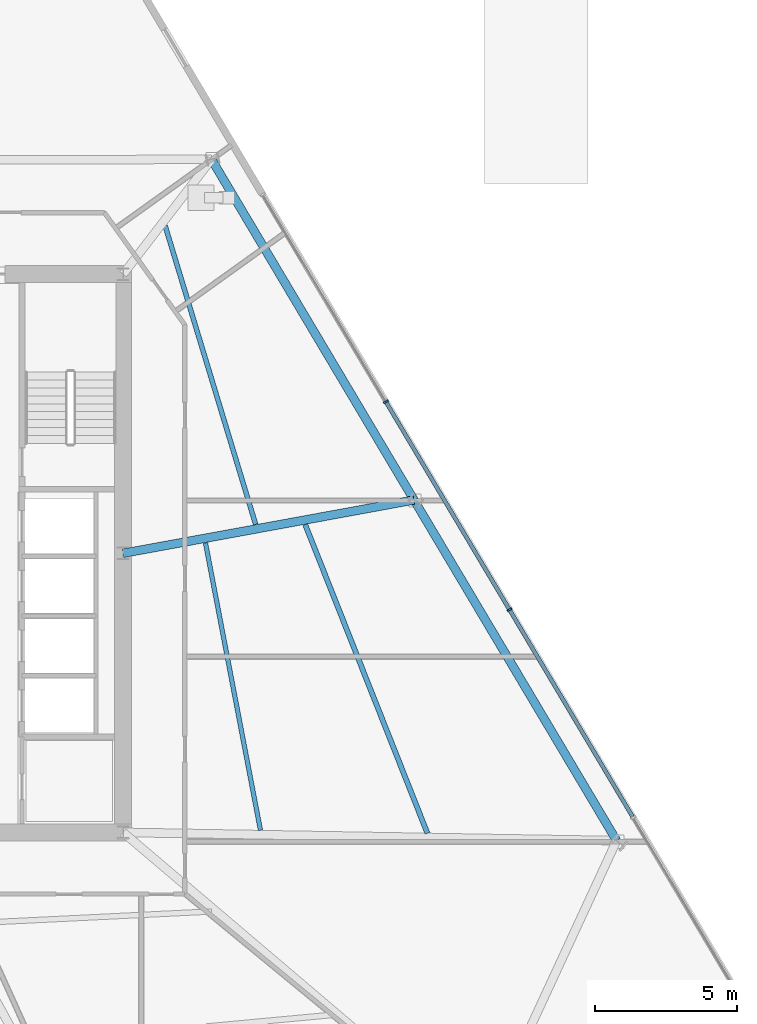
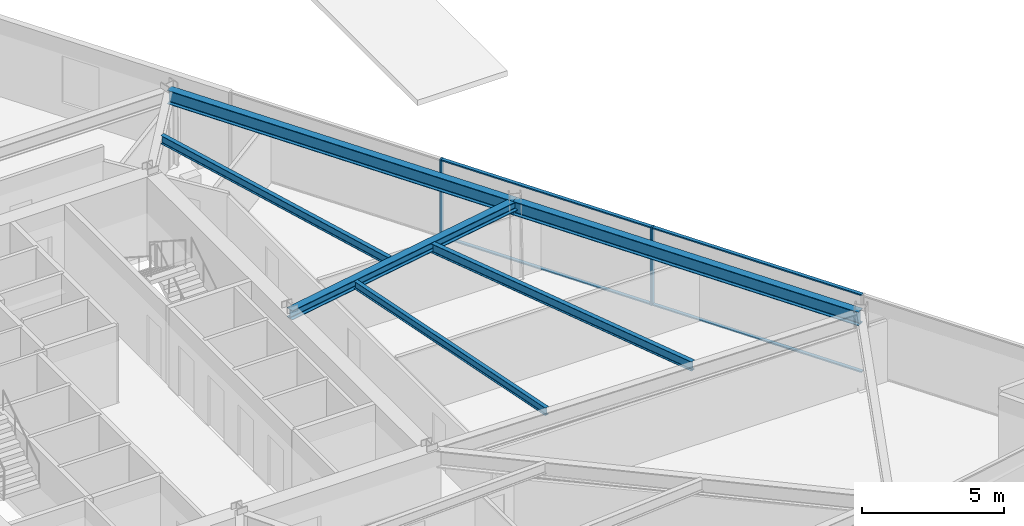
# One storey, part 6 of 16: 6 beams, 6 members, 1 element without a shape of its own.
"""IFC4 building model written with IfcOpenShell, lengths in metres."""

from ifc_helpers import new_model, si_unit, direction, frame, origin, origin_2d, place, context, subcontext, project, spatial, rectangle, i_section, extrude, material, material_profile, profile_set, type_object, element, aggregate, save


model = new_model("IFC4")

# Units and contexts
model_context = context("Model", 3, precision=1e-05, world=origin(), true_north=direction((0.0, 1.0)))
body_context = subcontext(model_context, "Body", "Model", "MODEL_VIEW")
ifc_project = project(units=[si_unit("LENGTHUNIT", "METRE"), si_unit("AREAUNIT", "SQUARE_METRE"), si_unit("VOLUMEUNIT", "CUBIC_METRE"), si_unit("PLANEANGLEUNIT", "RADIAN"), si_unit("MASSUNIT", "GRAM", prefix="KILO")], contexts=[model_context])

# Site, building, storey
site_placement = place(None, origin())
site = spatial("IfcSite", under=ifc_project, at=site_placement, CompositionType="ELEMENT")
building_placement = place(site_placement, origin())
building = spatial("IfcBuilding", under=site, at=building_placement, Name="Savorim Split Tower", CompositionType="ELEMENT")
storey_placement = place(building_placement, frame((0.0, 0.0, 30.0)))
storey = spatial("IfcBuildingStorey", under=building, at=storey_placement, Name="L07", CompositionType="ELEMENT", Elevation=30.0)

# Beams
ifc_material_1 = material(Name="Steel S355", Category="steel")
ifc_material_profile_1 = material_profile(ifc_material_1, i_section(OverallWidth=0.159912109375, OverallDepth=0.330078125, WebThickness=0.007568359375, FlangeThickness=0.011474609375, FilletRadius=0.01806640625, at=origin_2d()), Name="IPE 330")
ifc_profile_set_1 = profile_set([ifc_material_profile_1], Name="Steel S355")
beam_type_1 = type_object("IfcBeamType", Name="BM-JST-IPE330", PredefinedType="JOIST", material=ifc_profile_set_1)
beam_1_placement = place(storey_placement, frame((12.521240234375, -9.32421875, 3.18505859375), z_axis=(-0.187984483988, 0.982171998063, 0.0), x_axis=(-0.982171998063, -0.187984483988, 0.0)))
element("IfcBeam", 1, at=beam_1_placement, inside=storey, type_object=beam_type_1, Name="L07 Secondary Floor Joist JS-08", PredefinedType="JOIST", context=body_context, shape_type="SweptSolid", body=[
    extrude(i_section(OverallWidth=0.159912109375, OverallDepth=0.330078125, WebThickness=0.007568359375, FlangeThickness=0.011474609375, FilletRadius=0.01806640625, at=origin_2d()), origin(), (0.0, 0.0, 1.0), 10.274169921875),
])
ifc_material_profile_2 = material_profile(ifc_material_1, i_section(OverallWidth=0.169921875, OverallDepth=0.360107421875, WebThickness=0.008056640625, FlangeThickness=0.0126953125, FilletRadius=0.01806640625, at=origin_2d()), Name="IPE 360")
ifc_profile_set_2 = profile_set([ifc_material_profile_2], Name="Steel S355")
beam_type_2 = type_object("IfcBeamType", Name="BM-JST-IPE360", PredefinedType="JOIST", material=ifc_profile_set_2)
beam_2_placement = place(storey_placement, frame((12.351806640625, 1.413818359375, 3.169921875), z_axis=(-0.290056859464, 0.957009413892, 0.0), x_axis=(-0.957009413892, -0.290056859464, 0.0)))
element("IfcBeam", 2, at=beam_2_placement, inside=storey, type_object=beam_type_2, Name="L07 Secondary Floor Joist JS-07", PredefinedType="JOIST", context=body_context, shape_type="SweptSolid", body=[
    extrude(i_section(OverallWidth=0.169921875, OverallDepth=0.360107421875, WebThickness=0.008056640625, FlangeThickness=0.0126953125, FilletRadius=0.01806640625, at=origin_2d()), origin(), (0.0, 0.0, 1.0), 10.958984375),
])
ifc_material_profile_3 = material_profile(ifc_material_1, i_section(OverallWidth=0.179931640625, OverallDepth=0.39990234375, WebThickness=0.008544921875, FlangeThickness=0.013427734375, FilletRadius=0.02099609375, at=origin_2d()), Name="IPE 400")
ifc_profile_set_3 = profile_set([ifc_material_profile_3], Name="Steel S355")
beam_type_3 = type_object("IfcBeamType", Name="BM-JST-IPE400", PredefinedType="JOIST", material=ifc_profile_set_3)
beam_3_placement = place(storey_placement, frame((18.38330078125, -9.43115234375, 3.14990234375), z_axis=(-0.368067305752, 0.929799149514, 0.0), x_axis=(-0.929799149514, -0.368067305752, 0.0)))
element("IfcBeam", 3, at=beam_3_placement, inside=storey, type_object=beam_type_3, Name="L07 Secondary Floor Joist JS-06", PredefinedType="JOIST", context=body_context, shape_type="SweptSolid", body=[
    extrude(i_section(OverallWidth=0.179931640625, OverallDepth=0.39990234375, WebThickness=0.008544921875, FlangeThickness=0.013427734375, FilletRadius=0.02099609375, at=origin_2d()), origin(), (0.0, 0.0, 1.0), 11.660888671875),
])
ifc_material_profile_4 = material_profile(ifc_material_1, i_section(OverallWidth=0.300048828125, OverallDepth=0.39990234375, WebThickness=0.013427734375, FlangeThickness=0.02392578125, FilletRadius=0.027099609375, at=origin_2d()), Name="HEB 400")
ifc_profile_set_4 = profile_set([ifc_material_profile_4], Name="Steel S355")
beam_type_4 = type_object("IfcBeamType", Name="BM-PRI-HEB400", PredefinedType="BEAM", material=ifc_profile_set_4)
beam_4_placement = place(storey_placement, frame((17.91357421875, 2.27099609375, 3.14990234375), z_axis=(-0.983630528413, -0.180197068717, 0.0), x_axis=(0.180197068717, -0.983630528413, 0.0)))
element("IfcBeam", 4, at=beam_4_placement, inside=storey, type_object=beam_type_4, Name="L07 Primary Floor Girder RG-06", PredefinedType="BEAM", context=body_context, shape_type="SweptSolid", body=[
    extrude(i_section(OverallWidth=0.300048828125, OverallDepth=0.39990234375, WebThickness=0.013427734375, FlangeThickness=0.02392578125, FilletRadius=0.027099609375, at=origin_2d()), origin(), (0.0, 0.0, 1.0), 10.383544921875),
])
ifc_material_profile_5 = material_profile(ifc_material_1, i_section(OverallWidth=0.300048828125, OverallDepth=0.590087890625, WebThickness=0.012939453125, FlangeThickness=0.02490234375, FilletRadius=0.027099609375, at=origin_2d()), Name="HEA 600")
ifc_profile_set_5 = profile_set([ifc_material_profile_5], Name="Steel S355")
beam_type_5 = type_object("IfcBeamType", Name="BM-SPN-HEA600", PredefinedType="SPANDREL", material=ifc_profile_set_5)
for number, where, z_axis, x_axis, name in (
    (5, (25.02587890625, -9.690185546875, 3.054931640625), (-0.511088704588, 0.85952797281, 0.0), (-0.85952797281, -0.511088704588, 0.0), "L07 Perimeter Spandrel Beam 5"),
    (6, (17.91357421875, 2.27099609375, 3.054931640625), (-0.511088704588, 0.85952797281, 0.0), (-0.85952797281, -0.511088704588, 0.0), "L07 Perimeter Spandrel Beam 6"),
):
    element("IfcBeam", number, at=place(storey_placement, frame(where, z_axis=z_axis, x_axis=x_axis)), inside=storey, type_object=beam_type_5, Name=name, PredefinedType="SPANDREL", context=body_context, shape_type="SweptSolid", body=[
        extrude(i_section(OverallWidth=0.300048828125, OverallDepth=0.590087890625, WebThickness=0.012939453125, FlangeThickness=0.02490234375, FilletRadius=0.027099609375, at=origin_2d()), origin(), (0.0, 0.0, 1.0), 13.916015625),
    ])

# Curtain wall, members
ifc_material_2 = material(Name="Dark Ceramic-Fritted Insulated Glass", Category="glass")
curtain_wall_type = type_object("IfcCurtainWallType", Name="CW-TWR-FRIT-A", PredefinedType="NOTDEFINED", material=ifc_material_2)
curtain_wall_placement = place(storey_placement, origin())
curtain_wall = element("IfcCurtainWall", 7, at=curtain_wall_placement, inside=storey, type_object=curtain_wall_type, Name="L07 Curtain Wall CW-L07-EAST", PredefinedType="NOTDEFINED")
ifc_material_3 = material(Name="Charcoal Anodised Aluminium", Category="aluminium")
ifc_material_profile_6 = material_profile(ifc_material_3, rectangle(XDim=0.179931640625, YDim=0.06494140625, at=origin_2d()), Name="ALU-M 180x65")
ifc_profile_set_6 = profile_set([ifc_material_profile_6], Name="Charcoal Anodised Aluminium")
member_type_1 = type_object("IfcMemberType", Name="CWM-180x65", PredefinedType="MULLION", material=ifc_profile_set_6)
member_1_placement = place(storey_placement, frame((21.263916015625, -1.5791015625, 0.0), z_axis=(0.0, 0.0, 1.0), x_axis=(-0.859525752007, -0.511092439425, 0.0)))
member_1 = element("IfcMember", 8, at=member_1_placement, type_object=member_type_1, Name="CW-02 mullion 3", PredefinedType="MULLION", context=body_context, shape_type="SweptSolid", body=[
    extrude(rectangle(XDim=0.179931640625, YDim=0.06494140625, at=origin_2d()), origin(), (0.0, 0.0, 1.0), 3.35009765625),
])
member_2_placement = place(storey_placement, frame((16.92333984375, 5.72021484375, 0.0), z_axis=(0.0, 0.0, 1.0), x_axis=(-0.859525752007, -0.511092439425, 0.0)))
member_2 = element("IfcMember", 9, at=member_2_placement, type_object=member_type_1, Name="CW-02 mullion 4", PredefinedType="MULLION", context=body_context, shape_type="SweptSolid", body=[
    extrude(rectangle(XDim=0.179931640625, YDim=0.06494140625, at=origin_2d()), origin(), (0.0, 0.0, 1.0), 3.35009765625),
])
ifc_material_profile_7 = material_profile(ifc_material_3, rectangle(XDim=0.139892578125, YDim=0.054931640625, at=origin_2d()), Name="ALU-T 140x55")
ifc_profile_set_7 = profile_set([ifc_material_profile_7], Name="Charcoal Anodised Aluminium")
member_type_2 = type_object("IfcMemberType", Name="CWT-140x55", PredefinedType="USERDEFINED", material=ifc_profile_set_7)
member_3_placement = place(storey_placement, frame((25.587646484375, -8.8505859375, 0.027587890625), z_axis=(-0.511096217662, 0.859523505375, 0.0), x_axis=(-0.859523505375, -0.511096217662, 0.0)))
member_3 = element("IfcMember", 10, at=member_3_placement, type_object=member_type_2, Name="CW-02 transom 2.1", ObjectType="TRANSOM", PredefinedType="USERDEFINED", context=body_context, shape_type="SweptSolid", body=[
    extrude(rectangle(XDim=0.139892578125, YDim=0.054931640625, at=origin_2d()), origin(), (0.0, 0.0, 1.0), 8.42724609375),
])
member_4_placement = place(storey_placement, frame((25.587646484375, -8.8505859375, 3.322509765625), z_axis=(-0.511096217662, 0.859523505375, 0.0), x_axis=(-0.859523505375, -0.511096217662, 0.0)))
member_4 = element("IfcMember", 11, at=member_4_placement, type_object=member_type_2, Name="CW-02 transom 2.2", ObjectType="TRANSOM", PredefinedType="USERDEFINED", context=body_context, shape_type="SweptSolid", body=[
    extrude(rectangle(XDim=0.139892578125, YDim=0.054931640625, at=origin_2d()), origin(), (0.0, 0.0, 1.0), 8.42724609375),
])
member_5_placement = place(storey_placement, frame((21.2470703125, -1.55126953125, 0.027587890625), z_axis=(-0.511096217662, 0.859523505375, 0.0), x_axis=(-0.859523505375, -0.511096217662, 0.0)))
member_5 = element("IfcMember", 12, at=member_5_placement, type_object=member_type_2, Name="CW-02 transom 3.1", ObjectType="TRANSOM", PredefinedType="USERDEFINED", context=body_context, shape_type="SweptSolid", body=[
    extrude(rectangle(XDim=0.139892578125, YDim=0.054931640625, at=origin_2d()), origin(), (0.0, 0.0, 1.0), 8.42724609375),
])
member_6_placement = place(storey_placement, frame((21.2470703125, -1.55126953125, 3.322509765625), z_axis=(-0.511096217662, 0.859523505375, 0.0), x_axis=(-0.859523505375, -0.511096217662, 0.0)))
member_6 = element("IfcMember", 13, at=member_6_placement, type_object=member_type_2, Name="CW-02 transom 3.2", ObjectType="TRANSOM", PredefinedType="USERDEFINED", context=body_context, shape_type="SweptSolid", body=[
    extrude(rectangle(XDim=0.139892578125, YDim=0.054931640625, at=origin_2d()), origin(), (0.0, 0.0, 1.0), 8.42724609375),
])
aggregate(curtain_wall, [member_1, member_2, member_3, member_4, member_5, member_6])

save(model, "model.ifc")
